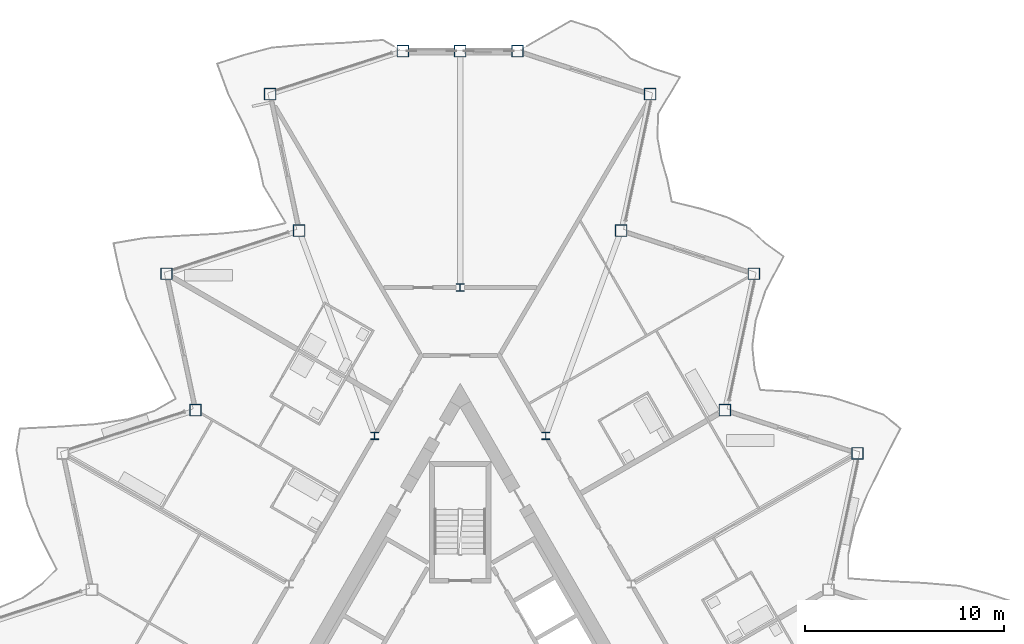
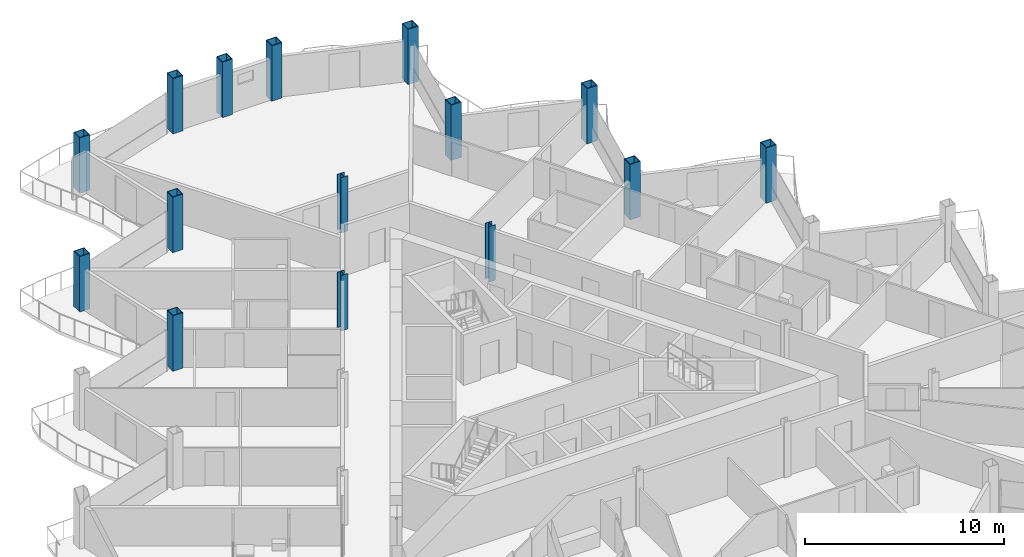
# One storey, part 3 of 26: 15 columns.
"""IFC4 building model written with IfcOpenShell, lengths in metres."""

from ifc_helpers import new_model, si_unit, direction, frame, origin, origin_2d, place, context, subcontext, project, spatial, hollow_rectangle, i_section, extrude, material, material_profile, profile_set, type_object, element, save


model = new_model("IFC4")

# Units and contexts
model_context = context("Model", 3, precision=1e-05, world=origin(), true_north=direction((0.0, 1.0)))
body_context = subcontext(model_context, "Body", "Model", "MODEL_VIEW")
ifc_project = project(units=[si_unit("LENGTHUNIT", "METRE"), si_unit("AREAUNIT", "SQUARE_METRE"), si_unit("VOLUMEUNIT", "CUBIC_METRE"), si_unit("PLANEANGLEUNIT", "RADIAN"), si_unit("MASSUNIT", "GRAM", prefix="KILO")], contexts=[model_context])

# Site, building, storey
site_placement = place(None, origin())
site = spatial("IfcSite", under=ifc_project, at=site_placement, CompositionType="ELEMENT")
building_placement = place(site_placement, origin())
building = spatial("IfcBuilding", under=site, at=building_placement, Name="Cormorant Prow Tower", CompositionType="ELEMENT")
storey_placement = place(building_placement, frame((0.0, 0.0, 339.199951171875)))
storey = spatial("IfcBuildingStorey", under=building, at=storey_placement, Name="L76", CompositionType="ELEMENT", Elevation=339.199951171875)

# Columns
ifc_material_1 = material(Name="Structural steel ASTM A572 Gr 50", Category="steel")
ifc_material_profile_1 = material_profile(ifc_material_1, hollow_rectangle(XDim=0.60009765625, YDim=0.60009765625, WallThickness=0.0400390625, at=origin_2d()), Name="Box 600x600x40")
ifc_profile_set_1 = profile_set([ifc_material_profile_1], Name="Structural steel ASTM A572 Gr 50")
column_type_1 = type_object("IfcColumnType", Name="Perimeter box column 600x600x40", PredefinedType="COLUMN", material=ifc_profile_set_1)
for number, where, z_axis, x_axis, name in (
    (1, (19.925537109375, 11.504150390625, 0.0), (0.0, 0.0, 1.0), (1.0, 0.0, 0.0), "Perimeter column C6 at ENE05 L76"),
    (2, (13.27197265625, 13.666015625, 0.0), (0.0, 0.0, 1.0), (1.0, 0.0, 0.0), "Perimeter column C6 at ENE06 L76"),
    (3, (14.7265625, 20.509033203125, 0.0), (0.0, 0.0, 1.0), (1.0, 0.0, 0.0), "Perimeter column C6 at ENE07 L76"),
    (4, (8.072998046875, 22.6708984375, 0.0), (0.0, 0.0, 1.0), (1.0, 0.0, 0.0), "Perimeter column C6 at ENE08 L76"),
    (5, (9.52734375, 29.51416015625, 0.0), (0.0, 0.0, 1.0), (1.0, 0.0, 0.0), "Perimeter column C6 at ENE09 L76"),
    (6, (2.873779296875, 31.676025390625, 0.0), (0.0, 0.0, 1.0), (1.0, 0.0, 0.0), "Perimeter column C6 at N00 L76"),
    (7, (0.0, 31.676025390625, 0.0), (0.0, 0.0, 1.0), (1.0, 0.0, 0.0), "Perimeter column C6 at N01 L76"),
    (8, (-2.873779296875, 31.676025390625, 0.0), (0.0, 0.0, 1.0), (1.0, 0.0, 0.0), "Perimeter column C6 at WNW00 L76"),
    (9, (-9.52734375, 29.51416015625, 0.0), (0.0, 0.0, 1.0), (1.0, 0.0, 0.0), "Perimeter column C6 at WNW01 L76"),
    (10, (-8.072998046875, 22.6708984375, 0.0), (0.0, 0.0, 1.0), (1.0, 0.0, 0.0), "Perimeter column C6 at WNW02 L76"),
    (11, (-14.7265625, 20.509033203125, 0.0), (0.0, 0.0, 1.0), (1.0, 0.0, 0.0), "Perimeter column C6 at WNW03 L76"),
    (12, (-13.27197265625, 13.666015625, 0.0), (0.0, 0.0, 1.0), (1.0, 0.0, 0.0), "Perimeter column C6 at WNW04 L76"),
):
    element("IfcColumn", number, at=place(storey_placement, frame(where, z_axis=z_axis, x_axis=x_axis)), inside=storey, type_object=column_type_1, Name=name, PredefinedType="COLUMN", context=body_context, shape_type="SweptSolid", body=[
        extrude(hollow_rectangle(XDim=0.60009765625, YDim=0.60009765625, WallThickness=0.0400390625, at=origin_2d()), origin(), (0.0, 0.0, 1.0), 3.400146484375),
    ])
ifc_material_2 = material(Name="Structural steel ASTM A992 Gr 50", Category="steel")
ifc_material_profile_2 = material_profile(ifc_material_2, i_section(OverallWidth=0.3955078125, OverallDepth=0.380615234375, WebThickness=0.018798828125, FlangeThickness=0.0302734375, at=origin_2d()), Name="W14x159")
ifc_profile_set_2 = profile_set([ifc_material_profile_2], Name="Structural steel ASTM A992 Gr 50")
column_type_2 = type_object("IfcColumnType", Name="Ring column W14x159", PredefinedType="COLUMN", material=ifc_profile_set_2)
for number, where, z_axis, x_axis, name in (
    (13, (0.0, 19.81103515625, 0.0), (0.0, 0.0, 1.0), (1.0, 0.0, 0.0), "Ring column 1 L76"),
    (14, (-4.289306640625, 12.3818359375, 0.0), (0.0, 0.0, 1.0), (1.0, 0.0, 0.0), "Ring column 2 L76"),
    (15, (4.289306640625, 12.3818359375, 0.0), (0.0, 0.0, 1.0), (1.0, 0.0, 0.0), "Ring column 12 L76"),
):
    element("IfcColumn", number, at=place(storey_placement, frame(where, z_axis=z_axis, x_axis=x_axis)), inside=storey, type_object=column_type_2, Name=name, PredefinedType="COLUMN", context=body_context, shape_type="SweptSolid", body=[
        extrude(i_section(OverallWidth=0.3955078125, OverallDepth=0.380615234375, WebThickness=0.018798828125, FlangeThickness=0.0302734375, at=origin_2d()), origin(), (0.0, 0.0, 1.0), 3.400146484375),
    ])

save(model, "model.ifc")
